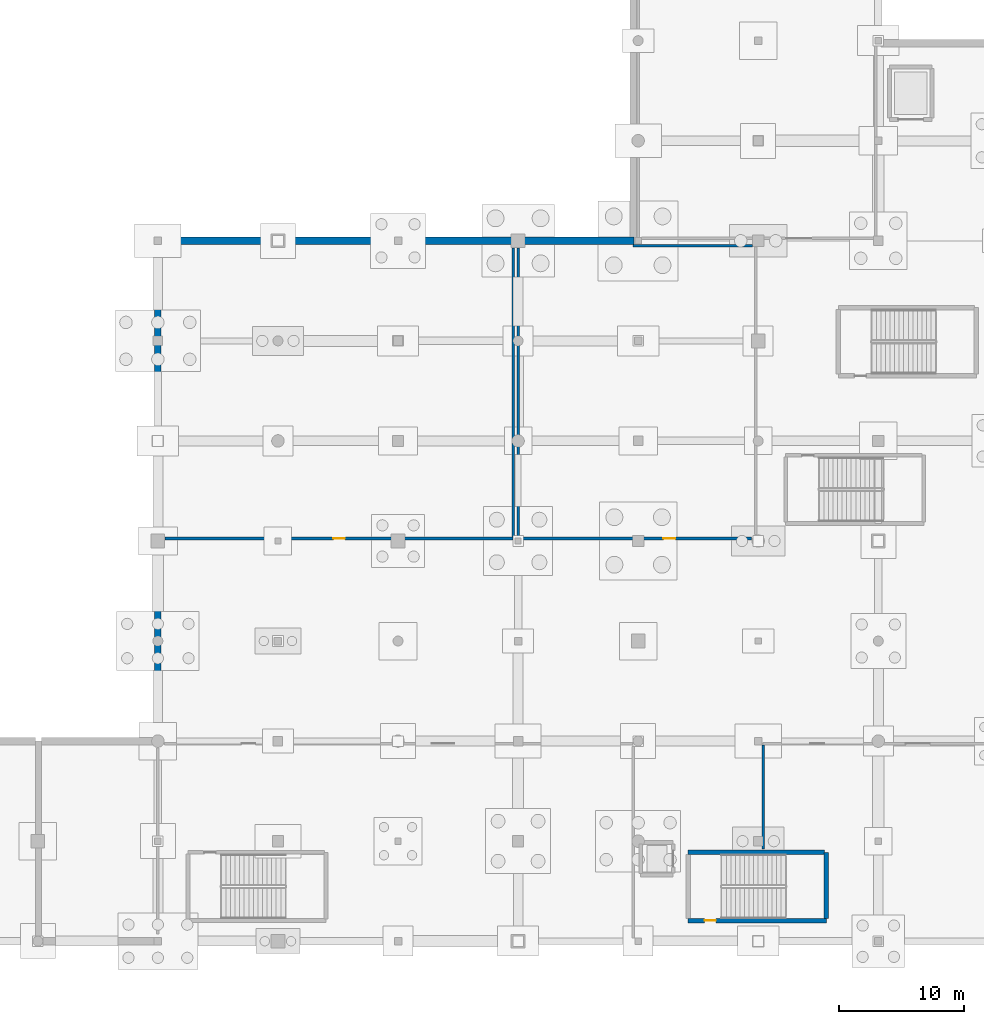
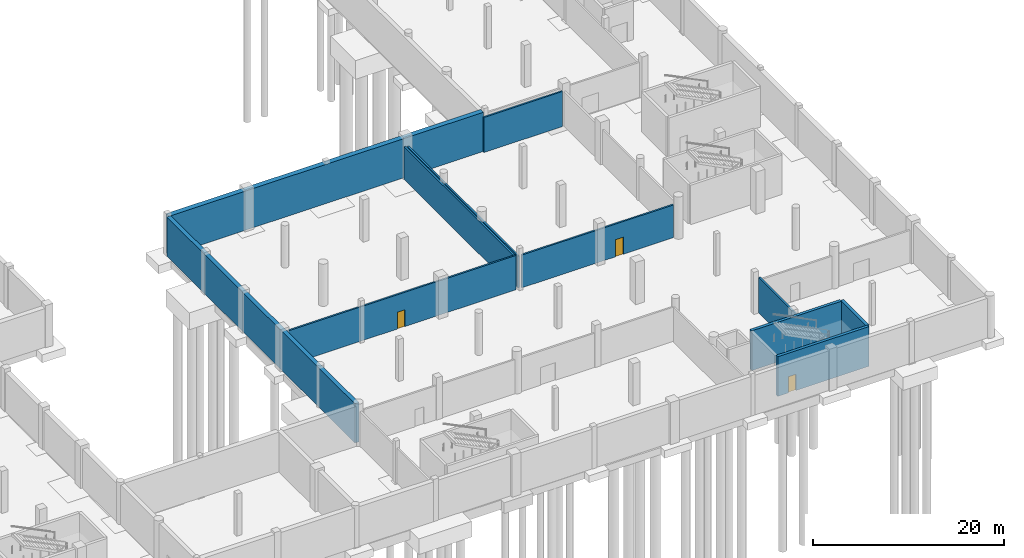
# One storey, part 27 of 44: 11 walls, 3 doors, 3 openings.
"""IFC4 building model written with IfcOpenShell, lengths in metres."""

from ifc_helpers import new_model, si_unit, direction, frame, frame_2d, origin, place, context, subcontext, project, spatial, rectangle, extrude, material, layer, layer_set, type_object, element, fill, save


model = new_model("IFC4")

# Units and contexts
model_context = context("Model", 3, precision=1e-05, world=origin(), true_north=direction((0.0, 1.0)))
body_context = subcontext(model_context, "Body", "Model", "MODEL_VIEW")
ifc_project = project(units=[si_unit("LENGTHUNIT", "METRE"), si_unit("AREAUNIT", "SQUARE_METRE"), si_unit("VOLUMEUNIT", "CUBIC_METRE"), si_unit("PLANEANGLEUNIT", "RADIAN"), si_unit("MASSUNIT", "GRAM", prefix="KILO")], contexts=[model_context])

# Site, building, storey
site_placement = place(None, origin())
site = spatial("IfcSite", under=ifc_project, at=site_placement, CompositionType="ELEMENT")
building_placement = place(site_placement, origin())
building = spatial("IfcBuilding", under=site, at=building_placement, Name="Danafjord Basin Convention Centre", CompositionType="ELEMENT")
storey_placement = place(building_placement, frame((0.0, 0.0, -5.39990234375)))
storey = spatial("IfcBuildingStorey", under=building, at=storey_placement, Name="B1", CompositionType="ELEMENT", Elevation=-5.39990234375)

# Wall, opening, door
ifc_material_1 = material(Name="Concrete C45/55", Category="concrete")
ifc_layer_1 = layer(ifc_material_1, 0.35009765625)
ifc_layer_set_1 = layer_set([ifc_layer_1], Name="Concrete C45/55")
wall_type_1 = type_object("IfcWallType", Name="WALL-CW-CORE350", PredefinedType="SHEAR", material=ifc_layer_set_1)
wall_1_placement = place(storey_placement, frame((186.39990234375, 9.64990234375, 0.0), z_axis=(0.0, 0.0, 1.0), x_axis=(1.0, 0.0, 0.0)))
wall_1 = element("IfcWall", 1, at=wall_1_placement, inside=storey, type_object=wall_type_1, Name="Harbour Pavilion Core Stair 1 core shear wall (south)", PredefinedType="SHEAR", context=body_context, shape_type="SweptSolid", body=[
    extrude(rectangle(XDim=11.0400390625, YDim=0.35009765625, at=frame_2d((5.52001953125, 0.0))), origin(), (0.0, 0.0, 1.0), 5.08984375),
])
opening_1_placement = place(wall_1_placement, frame((1.31201171875, 0.0, 0.0)))
opening_1 = element("IfcOpeningElement", 2, at=opening_1_placement, cuts=wall_1, Name="Opening FD-S01", PredefinedType="OPENING", context=body_context, shape_type="SweptSolid", body=[
    extrude(rectangle(XDim=0.909912109375, YDim=2.080078125, at=frame_2d((0.455078125, 1.0400390625))), frame((0.0, 0.18505859375, 0.0), z_axis=(0.0, -1.0, 0.0), x_axis=(1.0, 0.0, 0.0)), (0.0, 0.0, 1.0), 0.3701171875),
])
ifc_material_2 = material(Name="Powder-coated steel and Nordic oak", Category="steel")
door_type_1 = type_object("IfcDoorType", Name="DOOR-FD-S01", OperationType="NOTDEFINED", PredefinedType="DOOR", material=ifc_material_2)
door_1_placement = place(opening_1_placement, origin())
door_1 = element("IfcDoor", 3, at=door_1_placement, inside=storey, type_object=door_type_1, Name="Harbour Pavilion Core Stair 1 B1 Fire Exit Door", OperationType="SINGLE_SWING_LEFT", OverallHeight=2.080078125, OverallWidth=0.909912109375, PredefinedType="DOOR", context=body_context, shape_type="SweptSolid", body=[
    extrude(rectangle(XDim=0.909912109375, YDim=2.080078125, at=frame_2d((0.455078125, 1.0400390625))), frame((0.0, 0.02490234375, 0.0), z_axis=(0.0, -1.0, 0.0), x_axis=(1.0, 0.0, 0.0)), (0.0, 0.0, 1.0), 0.050048828125),
])
fill(opening_1, door_1)

# Walls
wall_2_placement = place(storey_placement, frame((197.43994140625, 9.81005859375, 0.0), z_axis=(0.0, 0.0, 1.0), x_axis=(0.0, 1.0, 0.0)))
element("IfcWall", 4, at=wall_2_placement, inside=storey, type_object=wall_type_1, Name="Harbour Pavilion Core Stair 1 core shear wall (east)", PredefinedType="SHEAR", context=body_context, shape_type="SweptSolid", body=[
    extrude(rectangle(XDim=5.300048828125, YDim=0.35009765625, at=frame_2d((2.64990234375, 0.0))), origin(), (0.0, 0.0, 1.0), 5.08984375),
])
wall_3_placement = place(storey_placement, frame((197.280029296875, 15.110107421875, 0.0), z_axis=(0.0, 0.0, 1.0), x_axis=(-1.0, 0.0, 0.0)))
element("IfcWall", 5, at=wall_3_placement, inside=storey, type_object=wall_type_1, Name="Harbour Pavilion Core Stair 1 core shear wall (north)", PredefinedType="SHEAR", context=body_context, shape_type="SweptSolid", body=[
    extrude(rectangle(XDim=10.880126953125, YDim=0.35009765625, at=frame_2d((5.43994140625, 0.0))), origin(), (0.0, 0.0, 1.0), 5.08984375),
])
ifc_material_3 = material(Name="Concrete C40/50", Category="concrete")
ifc_layer_2 = layer(ifc_material_3, 0.5)
ifc_layer_set_2 = layer_set([ifc_layer_2], Name="Concrete C40/50")
wall_type_2 = type_object("IfcWallType", Name="WALL-EW-RET500", PredefinedType="SHEAR", material=ifc_layer_set_2)
wall_4_placement = place(storey_placement, frame((144.0, 24.284912109375, 0.0), z_axis=(0.0, 0.0, 1.0), x_axis=(0.0, 1.0, 0.0)))
element("IfcWall", 6, at=wall_4_placement, inside=storey, type_object=wall_type_2, Name="B1 waterproofed basement retaining wall 12", PredefinedType="SHEAR", context=body_context, shape_type="SweptSolid", body=[
    extrude(rectangle(XDim=39.43017578125, YDim=0.5, at=frame_2d((19.715087890625, 0.0))), origin(), (0.0, 0.0, 1.0), 5.02001953125),
])
ifc_layer_3 = layer(ifc_material_3, 0.60009765625)
ifc_layer_set_3 = layer_set([ifc_layer_3], Name="Concrete C40/50")
wall_type_3 = type_object("IfcWallType", Name="WALL-EW-RET600", PredefinedType="SHEAR", material=ifc_layer_set_3)
wall_5_placement = place(storey_placement, frame((144.0, 64.0, 0.0), z_axis=(0.0, 0.0, 1.0), x_axis=(1.0, 0.0, 0.0)))
element("IfcWall", 7, at=wall_5_placement, inside=storey, type_object=wall_type_3, Name="B1 waterproofed basement retaining wall 1", PredefinedType="SHEAR", context=body_context, shape_type="SweptSolid", body=[
    extrude(rectangle(XDim=38.070068359375, YDim=0.60009765625, at=frame_2d((19.03515625, 0.0))), origin(), (0.0, 0.0, 1.0), 5.02001953125),
])
ifc_material_4 = material(Name="Concrete C35/45", Category="concrete")
ifc_layer_4 = layer(ifc_material_4, 0.205078125)
ifc_layer_set_4 = layer_set([ifc_layer_4], Name="Concrete C35/45")
wall_type_4 = type_object("IfcWallType", Name="WALL-W-COMP205", PredefinedType="SOLIDWALL", material=ifc_layer_set_4)
wall_6_placement = place(storey_placement, frame((192.39990234375, 23.693603515625, 0.0), z_axis=(0.0, 0.0, 1.0), x_axis=(0.0, -1.0, 0.0)))
element("IfcWall", 8, at=wall_6_placement, inside=storey, type_object=wall_type_4, Name="Pastry and Cold Store Preparation Kitchen west partition", PredefinedType="SOLIDWALL", context=body_context, shape_type="SweptSolid", body=[
    extrude(rectangle(XDim=8.33349609375, YDim=0.205078125, at=frame_2d((4.166748046875, 0.0))), origin(), (0.0, 0.0, 1.0), 4.559814453125),
])

# Wall, opening, door
wall_7_placement = place(storey_placement, frame((144.573974609375, 40.199951171875, 0.0), z_axis=(0.0, 0.0, 1.0), x_axis=(1.0, 0.0, 0.0)))
wall_7 = element("IfcWall", 9, at=wall_7_placement, inside=storey, type_object=wall_type_4, Name="High-Voltage Substation and Switchgear Plant south partition", PredefinedType="SOLIDWALL", context=body_context, shape_type="SweptSolid", body=[
    extrude(rectangle(XDim=27.825927734375, YDim=0.205078125, at=frame_2d((13.9130859375, 0.0))), origin(), (0.0, 0.0, 1.0), 4.389892578125),
])
opening_2_placement = place(wall_7_placement, frame((13.452880859375, 0.0, 0.0)))
opening_2 = element("IfcOpeningElement", 10, at=opening_2_placement, cuts=wall_7, Name="Opening FD-S09", PredefinedType="OPENING", context=body_context, shape_type="SweptSolid", body=[
    extrude(rectangle(XDim=0.919921875, YDim=2.14990234375, at=frame_2d((0.4599609375, 1.074951171875))), frame((0.0, 0.112548828125, 0.0), z_axis=(0.0, -1.0, 0.0), x_axis=(1.0, 0.0, 0.0)), (0.0, 0.0, 1.0), 0.22509765625),
])
door_type_2 = type_object("IfcDoorType", Name="DOOR-FD-S09", OperationType="NOTDEFINED", PredefinedType="DOOR", material=ifc_material_2)
door_2_placement = place(opening_2_placement, origin())
door_2 = element("IfcDoor", 11, at=door_2_placement, inside=storey, type_object=door_type_2, Name="High-Voltage Substation and Switchgear Plant Entrance Door", OperationType="SINGLE_SWING_RIGHT", OverallHeight=2.14990234375, OverallWidth=0.919921875, PredefinedType="DOOR", context=body_context, shape_type="SweptSolid", body=[
    extrude(rectangle(XDim=0.919921875, YDim=2.14990234375, at=frame_2d((0.4599609375, 1.074951171875))), frame((0.0, 0.02490234375, 0.0), z_axis=(0.0, -1.0, 0.0), x_axis=(1.0, 0.0, 0.0)), (0.0, 0.0, 1.0), 0.050048828125),
])
fill(opening_2, door_2)

# Wall
wall_8_placement = place(storey_placement, frame((172.39990234375, 40.306396484375, 0.0), z_axis=(0.0, 0.0, 1.0), x_axis=(0.0, 1.0, 0.0)))
element("IfcWall", 12, at=wall_8_placement, inside=storey, type_object=wall_type_4, Name="High-Voltage Substation and Switchgear Plant east partition", PredefinedType="SOLIDWALL", context=body_context, shape_type="SweptSolid", body=[
    extrude(rectangle(XDim=23.133544921875, YDim=0.205078125, at=frame_2d((11.56689453125, 0.0))), origin(), (0.0, 0.0, 1.0), 4.18994140625),
])

# Wall, opening, door
wall_9_placement = place(storey_placement, frame((173.080078125, 40.199951171875, 0.0), z_axis=(0.0, 0.0, 1.0), x_axis=(1.0, 0.0, 0.0)))
wall_9 = element("IfcWall", 13, at=wall_9_placement, inside=storey, type_object=wall_type_4, Name="Sprinkler Pump and Fire Water Plant south partition", PredefinedType="SOLIDWALL", context=body_context, shape_type="SweptSolid", body=[
    extrude(rectangle(XDim=18.39990234375, YDim=0.205078125, at=frame_2d((9.199951171875, 0.0))), origin(), (0.0, 0.0, 1.0), 4.18994140625),
])
opening_3_placement = place(wall_9_placement, frame((11.342041015625, 0.0, 0.0)))
opening_3 = element("IfcOpeningElement", 14, at=opening_3_placement, cuts=wall_9, Name="Opening FD-S10", PredefinedType="OPENING", context=body_context, shape_type="SweptSolid", body=[
    extrude(rectangle(XDim=0.949951171875, YDim=2.179931640625, at=frame_2d((0.47509765625, 1.08984375))), frame((0.0, 0.112548828125, 0.0), z_axis=(0.0, -1.0, 0.0), x_axis=(1.0, 0.0, 0.0)), (0.0, 0.0, 1.0), 0.22509765625),
])
door_type_3 = type_object("IfcDoorType", Name="DOOR-FD-S10", OperationType="NOTDEFINED", PredefinedType="DOOR", material=ifc_material_2)
door_3_placement = place(opening_3_placement, origin())
door_3 = element("IfcDoor", 15, at=door_3_placement, inside=storey, type_object=door_type_3, Name="Sprinkler Pump and Fire Water Plant Entrance Door", OperationType="SINGLE_SWING_LEFT", OverallHeight=2.179931640625, OverallWidth=0.949951171875, PredefinedType="DOOR", context=body_context, shape_type="SweptSolid", body=[
    extrude(rectangle(XDim=0.949951171875, YDim=2.179931640625, at=frame_2d((0.47509765625, 1.08984375))), frame((0.0, 0.02490234375, 0.0), z_axis=(0.0, -1.0, 0.0), x_axis=(1.0, 0.0, 0.0)), (0.0, 0.0, 1.0), 0.050048828125),
])
fill(opening_3, door_3)

# Walls
wall_10_placement = place(storey_placement, frame((191.533447265625, 63.60009765625, 0.0), z_axis=(0.0, 0.0, 1.0), x_axis=(-1.0, 0.0, 0.0)))
element("IfcWall", 16, at=wall_10_placement, inside=storey, type_object=wall_type_4, Name="Sprinkler Pump and Fire Water Plant north partition", PredefinedType="SOLIDWALL", context=body_context, shape_type="SweptSolid", body=[
    extrude(rectangle(XDim=9.525390625, YDim=0.205078125, at=frame_2d((4.7626953125, 0.0))), origin(), (0.0, 0.0, 1.0), 4.489990234375),
])
wall_11_placement = place(storey_placement, frame((172.800048828125, 63.43994140625, 0.0), z_axis=(0.0, 0.0, 1.0), x_axis=(0.0, -1.0, 0.0)))
element("IfcWall", 17, at=wall_11_placement, inside=storey, type_object=wall_type_4, Name="Sprinkler Pump and Fire Water Plant west partition", PredefinedType="SOLIDWALL", context=body_context, shape_type="SweptSolid", body=[
    extrude(rectangle(XDim=23.159912109375, YDim=0.205078125, at=frame_2d((11.580078125, 0.0))), origin(), (0.0, 0.0, 1.0), 4.08984375),
])

save(model, "model.ifc")
